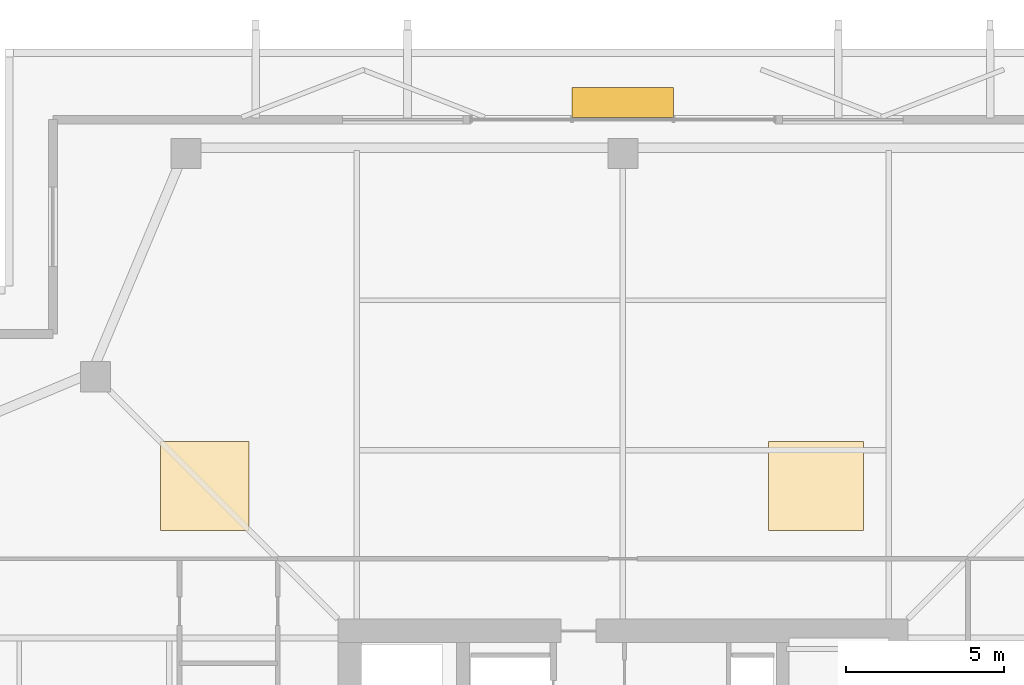
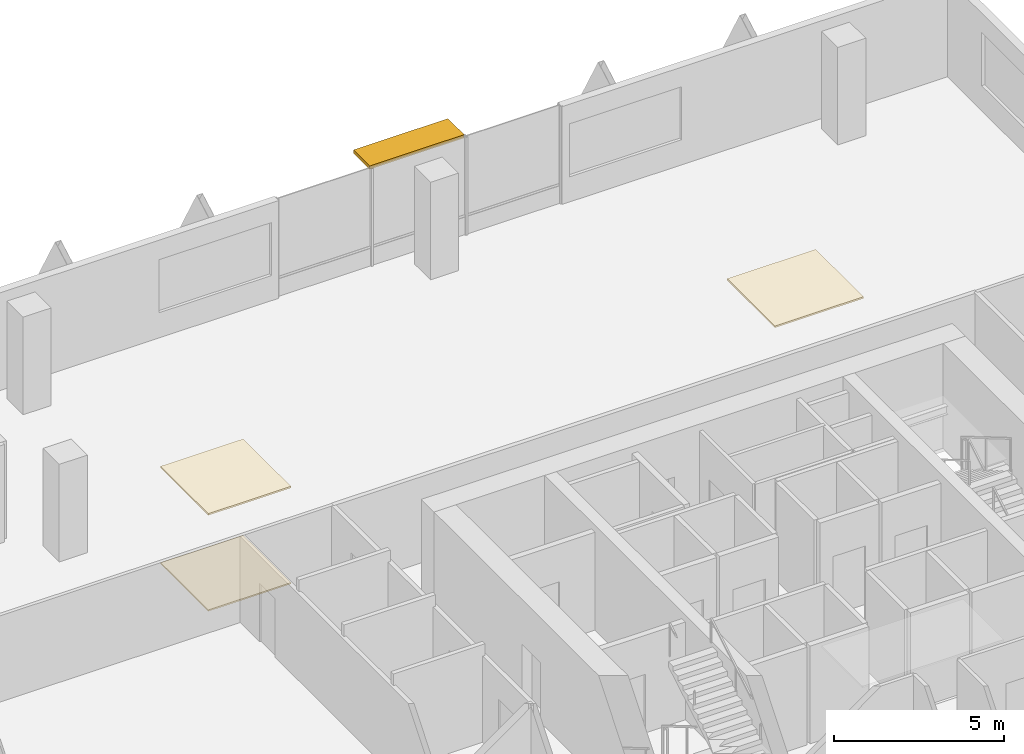
# One storey, part 17 of 17: 3 coverings, 1 shading device.
"""IFC4 building model written with IfcOpenShell, lengths in metres."""

from ifc_helpers import new_model, si_unit, direction, frame, origin, origin_2d, place, context, subcontext, project, spatial, polyline, rectangle, outline, extrude, material, layer, layer_set, type_object, element, save


model = new_model("IFC4")

# Units and contexts
model_context = context("Model", 3, precision=1e-05, world=origin(), true_north=direction((0.0, 1.0)))
body_context = subcontext(model_context, "Body", "Model", "MODEL_VIEW")
ifc_project = project(units=[si_unit("LENGTHUNIT", "METRE"), si_unit("AREAUNIT", "SQUARE_METRE"), si_unit("VOLUMEUNIT", "CUBIC_METRE"), si_unit("PLANEANGLEUNIT", "RADIAN"), si_unit("MASSUNIT", "GRAM", prefix="KILO")], contexts=[model_context])

# Site, building, storey
site_placement = place(None, origin())
site = spatial("IfcSite", under=ifc_project, at=site_placement, CompositionType="ELEMENT")
building_placement = place(site_placement, origin())
building = spatial("IfcBuilding", under=site, at=building_placement, Name="Belovzor Exchange Tower", CompositionType="ELEMENT")
storey_placement = place(building_placement, frame((0.0, 0.0, 246.60009765625)))
storey = spatial("IfcBuildingStorey", under=building, at=storey_placement, Name="L61", CompositionType="ELEMENT", Elevation=246.60009765625)

# Coverings
ifc_material_1 = material(Name="Perforated Powder-Coated Aluminium", Category="aluminium")
ifc_layer_1 = layer(ifc_material_1, 0.06005859375)
ifc_layer_set_1 = layer_set([ifc_layer_1], Name="Perforated Powder-Coated Aluminium")
covering_type_1 = type_object("IfcCoveringType", Name="Perforated Acoustic Metal Tile Suspended Ceiling 60", PredefinedType="CEILING", material=ifc_layer_set_1)
covering_1_placement = place(storey_placement, frame((0.0, 0.0, 3.43994140625)))
element("IfcCovering", 1, at=covering_1_placement, inside=storey, type_object=covering_type_1, Name="CLG-AC60 Suspended Ceiling CLG-L61-Z2", PredefinedType="CEILING", context=body_context, shape_type="SweptSolid", body=[
    extrude(outline(polyline([(33.39990234375, 40.60009765625), (36.39990234375, 40.60009765625), (36.39990234375, 43.39990234375), (33.39990234375, 43.39990234375), (33.39990234375, 40.60009765625)])), origin(), (0.0, 0.0, 1.0), 0.06005859375),
])
covering_2_placement = place(storey_placement, frame((0.0, 0.0, 3.43994140625)))
element("IfcCovering", 2, at=covering_2_placement, inside=storey, type_object=covering_type_1, Name="CLG-AC60 Suspended Ceiling CLG-L61-Z3", PredefinedType="CEILING", context=body_context, shape_type="SweptSolid", body=[
    extrude(outline(polyline([(14.199951171875, 40.60009765625), (17.0, 40.60009765625), (17.0, 43.39990234375), (14.199951171875, 43.39990234375), (14.199951171875, 40.60009765625)])), origin(), (0.0, 0.0, 1.0), 0.06005859375),
])
ifc_material_2 = material(Name="Polished Natural Granite Tile", Category="masonry")
ifc_layer_2 = layer(ifc_material_2, 0.050048828125)
ifc_layer_set_2 = layer_set([ifc_layer_2], Name="Polished Natural Granite Tile")
covering_type_2 = type_object("IfcCoveringType", Name="Polished Karelian Granite & Raised Access Floor Finish 50", PredefinedType="FLOORING", material=ifc_layer_set_2)
covering_3_placement = place(storey_placement, origin())
element("IfcCovering", 3, at=covering_3_placement, inside=storey, type_object=covering_type_2, Name="FLR-GR50 Floor Finish FLR-L61-Z3", PredefinedType="FLOORING", context=body_context, shape_type="SweptSolid", body=[
    extrude(outline(polyline([(14.199951171875, 40.60009765625), (17.0, 40.60009765625), (17.0, 43.39990234375), (14.199951171875, 43.39990234375), (14.199951171875, 40.60009765625)])), origin(), (0.0, 0.0, 1.0), 0.0498046875),
])

# Shading device
ifc_material_3 = material(Name="Extruded Architectural Terracotta", Category="masonry")
ifc_layer_3 = layer(ifc_material_3, 0.1201171875)
ifc_layer_set_3 = layer_set([ifc_layer_3], Name="Extruded Architectural Terracotta")
shading_device_type = type_object("IfcShadingDeviceType", Name="Streamline Terracotta Horizontal Sunshade Hood 950", PredefinedType="AWNING", material=ifc_layer_set_3)
shading_device_placement = place(storey_placement, frame((28.800048828125, 54.114990234375, 3.3798828125), z_axis=(0.0, 0.0, 1.0), x_axis=(1.0, 0.0, 0.0)))
element("IfcShadingDevice", 4, at=shading_device_placement, inside=storey, type_object=shading_device_type, Name="SHD-TC095 Terracotta Sunshade L61 N", PredefinedType="AWNING", context=body_context, shape_type="SweptSolid", body=[
    extrude(rectangle(XDim=3.199951171875, YDim=0.949951171875, at=origin_2d()), origin(), (0.0, 0.0, 1.0), 0.1201171875),
])

save(model, "model.ifc")
